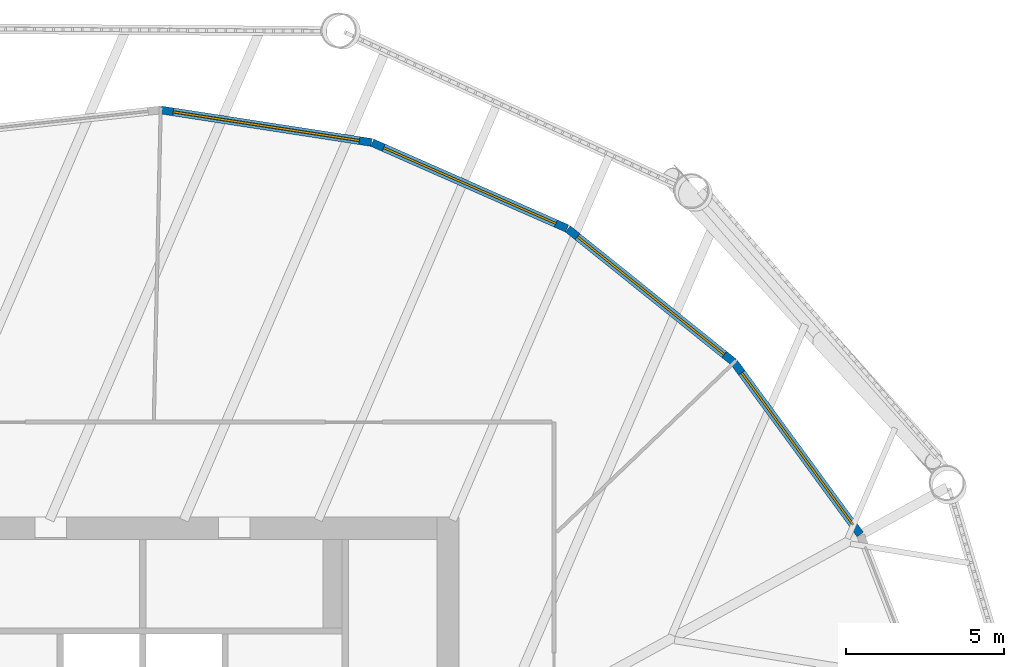
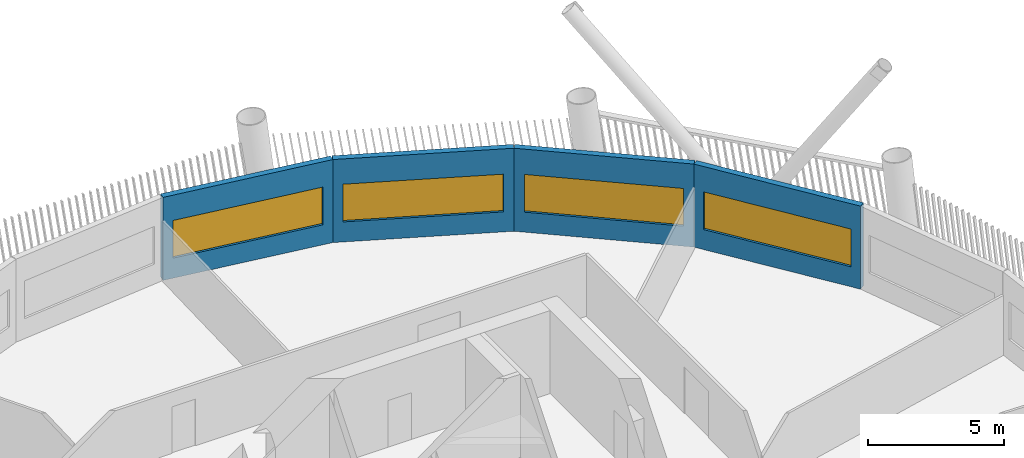
# One storey, part 7 of 22: 4 walls, 4 windows, 4 openings.
"""IFC4 building model written with IfcOpenShell, lengths in metres."""

from ifc_helpers import new_model, si_unit, direction, frame, frame_2d, origin, place, context, subcontext, project, spatial, rectangle, extrude, material, layer, layer_set, type_object, element, fill, save


model = new_model("IFC4")

# Units and contexts
model_context = context("Model", 3, precision=1e-05, world=origin(), true_north=direction((0.0, 1.0)))
body_context = subcontext(model_context, "Body", "Model", "MODEL_VIEW")
ifc_project = project(units=[si_unit("LENGTHUNIT", "METRE"), si_unit("AREAUNIT", "SQUARE_METRE"), si_unit("VOLUMEUNIT", "CUBIC_METRE"), si_unit("PLANEANGLEUNIT", "RADIAN"), si_unit("MASSUNIT", "GRAM", prefix="KILO")], contexts=[model_context])

# Site, building, storey
site_placement = place(None, origin())
site = spatial("IfcSite", under=ifc_project, at=site_placement, CompositionType="ELEMENT")
building_placement = place(site_placement, origin())
building = spatial("IfcBuilding", under=site, at=building_placement, Name="Tarsis Ring Headquarters", CompositionType="ELEMENT")
storey_placement = place(building_placement, frame((0.0, 0.0, 186.60009765625)))
storey = spatial("IfcBuildingStorey", under=building, at=storey_placement, Name="L43", CompositionType="ELEMENT", Elevation=186.60009765625)

# Wall, opening, window
ifc_material_1 = material(Name="Terracotta clad insulated panel wall", Category="masonry")
ifc_layer = layer(ifc_material_1, 0.25)
ifc_layer_set = layer_set([ifc_layer], Name="Facade wall terracotta panel 250")
wall_type = type_object("IfcWallType", Name="Facade wall terracotta panel 250", PredefinedType="STANDARD", material=ifc_layer_set)
wall_1_placement = place(storey_placement, frame((22.6767578125, 12.454345703125, 0.0), z_axis=(0.0, 0.0, 1.0), x_axis=(-0.591165243331, 0.806550466541, 0.0)))
wall_1 = element("IfcWall", 1, at=wall_1_placement, inside=storey, type_object=wall_type, Name="External wall L43-24", PredefinedType="STANDARD", context=body_context, shape_type="SweptSolid", body=[
    extrude(rectangle(XDim=6.7216796875, YDim=0.25, at=frame_2d((3.36083984375, 0.0))), origin(), (0.0, 0.0, 1.0), 3.739990234375),
])
opening_1_placement = place(wall_1_placement, frame((0.3857421875, 0.0, 0.89990234375)))
opening_1 = element("IfcOpeningElement", 2, at=opening_1_placement, cuts=wall_1, Name="Opening WN07", PredefinedType="OPENING", context=body_context, shape_type="SweptSolid", body=[
    extrude(rectangle(XDim=5.949951171875, YDim=1.699951171875, at=frame_2d((2.97509765625, 0.85009765625))), frame((0.0, 0.135009765625, 0.0), z_axis=(0.0, -1.0, 0.0), x_axis=(1.0, 0.0, 0.0)), (0.0, 0.0, 1.0), 0.27001953125),
])
ifc_material_2 = material(Name="Aluminium framed double glazing", Category="aluminium")
window_type = type_object("IfcWindowType", Name="Facade window 5950 x 1700", PartitioningType="SINGLE_PANEL", PredefinedType="WINDOW", material=ifc_material_2)
window_1_placement = place(opening_1_placement, origin())
window_1 = element("IfcWindow", 3, at=window_1_placement, inside=storey, type_object=window_type, Name="Window L43-24.1", OverallHeight=1.699951171875, OverallWidth=5.949951171875, PartitioningType="SINGLE_PANEL", PredefinedType="WINDOW", context=body_context, shape_type="SweptSolid", body=[
    extrude(rectangle(XDim=5.949951171875, YDim=1.699951171875, at=frame_2d((2.97509765625, 0.85009765625))), frame((0.0, 0.030029296875, 0.0), z_axis=(0.0, -1.0, 0.0), x_axis=(1.0, 0.0, 0.0)), (0.0, 0.0, 1.0), 0.06005859375),
])
fill(opening_1, window_1)

wall_2_placement = place(storey_placement, frame((18.6806640625, 17.899169921875, 0.0), z_axis=(0.0, 0.0, 1.0), x_axis=(-0.779776164134, 0.626058410892, 0.0)))
wall_2 = element("IfcWall", 4, at=wall_2_placement, inside=storey, type_object=wall_type, Name="External wall L43-25", PredefinedType="STANDARD", context=body_context, shape_type="SweptSolid", body=[
    extrude(rectangle(XDim=6.721435546875, YDim=0.25, at=frame_2d((3.36083984375, 0.0))), origin(), (0.0, 0.0, 1.0), 3.739990234375),
])
opening_2_placement = place(wall_2_placement, frame((0.3857421875, 0.0, 0.89990234375)))
opening_2 = element("IfcOpeningElement", 5, at=opening_2_placement, cuts=wall_2, Name="Opening WN07", PredefinedType="OPENING", context=body_context, shape_type="SweptSolid", body=[
    extrude(rectangle(XDim=5.949951171875, YDim=1.699951171875, at=frame_2d((2.97509765625, 0.85009765625))), frame((0.0, 0.135009765625, 0.0), z_axis=(0.0, -1.0, 0.0), x_axis=(1.0, 0.0, 0.0)), (0.0, 0.0, 1.0), 0.27001953125),
])
window_2_placement = place(opening_2_placement, origin())
window_2 = element("IfcWindow", 6, at=window_2_placement, inside=storey, type_object=window_type, Name="Window L43-25.1", OverallHeight=1.699951171875, OverallWidth=5.949951171875, PartitioningType="SINGLE_PANEL", PredefinedType="WINDOW", context=body_context, shape_type="SweptSolid", body=[
    extrude(rectangle(XDim=5.949951171875, YDim=1.699951171875, at=frame_2d((2.97509765625, 0.85009765625))), frame((0.0, 0.030029296875, 0.0), z_axis=(0.0, -1.0, 0.0), x_axis=(1.0, 0.0, 0.0)), (0.0, 0.0, 1.0), 0.06005859375),
])
fill(opening_2, window_2)

wall_3_placement = place(storey_placement, frame((13.411376953125, 22.124267578125, 0.0), z_axis=(0.0, 0.0, 1.0), x_axis=(-0.915243783101, 0.402900505701, 0.0)))
wall_3 = element("IfcWall", 7, at=wall_3_placement, inside=storey, type_object=wall_type, Name="External wall L43-26", PredefinedType="STANDARD", context=body_context, shape_type="SweptSolid", body=[
    extrude(rectangle(XDim=6.72119140625, YDim=0.25, at=frame_2d((3.360595703125, 0.0))), origin(), (0.0, 0.0, 1.0), 3.739990234375),
])
opening_3_placement = place(wall_3_placement, frame((0.3857421875, 0.0, 0.89990234375)))
opening_3 = element("IfcOpeningElement", 8, at=opening_3_placement, cuts=wall_3, Name="Opening WN07", PredefinedType="OPENING", context=body_context, shape_type="SweptSolid", body=[
    extrude(rectangle(XDim=5.949951171875, YDim=1.699951171875, at=frame_2d((2.97509765625, 0.85009765625))), frame((0.0, 0.135009765625, 0.0), z_axis=(0.0, -1.0, 0.0), x_axis=(1.0, 0.0, 0.0)), (0.0, 0.0, 1.0), 0.27001953125),
])
window_3_placement = place(opening_3_placement, origin())
window_3 = element("IfcWindow", 9, at=window_3_placement, inside=storey, type_object=window_type, Name="Window L43-26.1", OverallHeight=1.699951171875, OverallWidth=5.949951171875, PartitioningType="SINGLE_PANEL", PredefinedType="WINDOW", context=body_context, shape_type="SweptSolid", body=[
    extrude(rectangle(XDim=5.949951171875, YDim=1.699951171875, at=frame_2d((2.97509765625, 0.85009765625))), frame((0.0, 0.030029296875, 0.0), z_axis=(0.0, -1.0, 0.0), x_axis=(1.0, 0.0, 0.0)), (0.0, 0.0, 1.0), 0.06005859375),
])
fill(opening_3, window_3)

wall_4_placement = place(storey_placement, frame((7.228271484375, 24.841552734375, 0.0), z_axis=(0.0, 0.0, 1.0), x_axis=(-0.98833429555, 0.152300099274, 0.0)))
wall_4 = element("IfcWall", 10, at=wall_4_placement, inside=storey, type_object=wall_type, Name="External wall L43-27", PredefinedType="STANDARD", context=body_context, shape_type="SweptSolid", body=[
    extrude(rectangle(XDim=6.721435546875, YDim=0.25, at=frame_2d((3.36083984375, 0.0))), origin(), (0.0, 0.0, 1.0), 3.739990234375),
])
opening_4_placement = place(wall_4_placement, frame((0.3857421875, 0.0, 0.89990234375)))
opening_4 = element("IfcOpeningElement", 11, at=opening_4_placement, cuts=wall_4, Name="Opening WN07", PredefinedType="OPENING", context=body_context, shape_type="SweptSolid", body=[
    extrude(rectangle(XDim=5.949951171875, YDim=1.699951171875, at=frame_2d((2.97509765625, 0.85009765625))), frame((0.0, 0.135009765625, 0.0), z_axis=(0.0, -1.0, 0.0), x_axis=(1.0, 0.0, 0.0)), (0.0, 0.0, 1.0), 0.27001953125),
])
window_4_placement = place(opening_4_placement, origin())
window_4 = element("IfcWindow", 12, at=window_4_placement, inside=storey, type_object=window_type, Name="Window L43-27.1", OverallHeight=1.699951171875, OverallWidth=5.949951171875, PartitioningType="SINGLE_PANEL", PredefinedType="WINDOW", context=body_context, shape_type="SweptSolid", body=[
    extrude(rectangle(XDim=5.949951171875, YDim=1.699951171875, at=frame_2d((2.97509765625, 0.85009765625))), frame((0.0, 0.030029296875, 0.0), z_axis=(0.0, -1.0, 0.0), x_axis=(1.0, 0.0, 0.0)), (0.0, 0.0, 1.0), 0.06005859375),
])
fill(opening_4, window_4)

save(model, "model.ifc")
